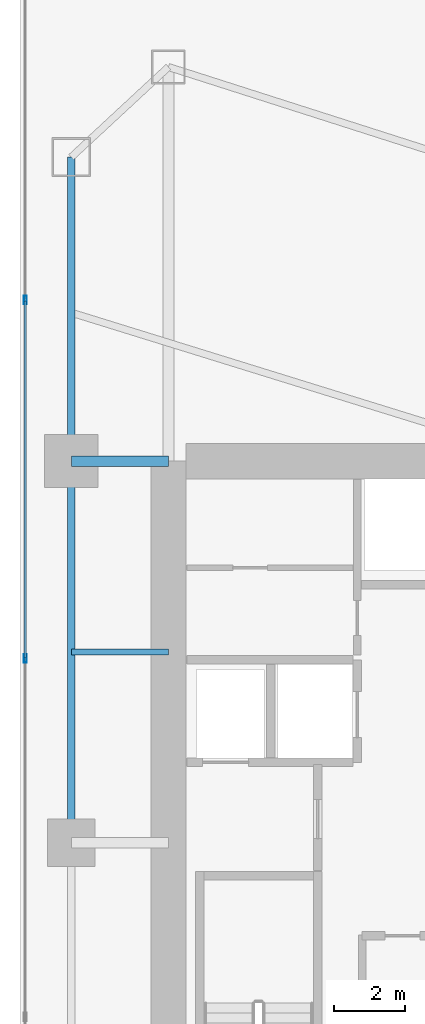
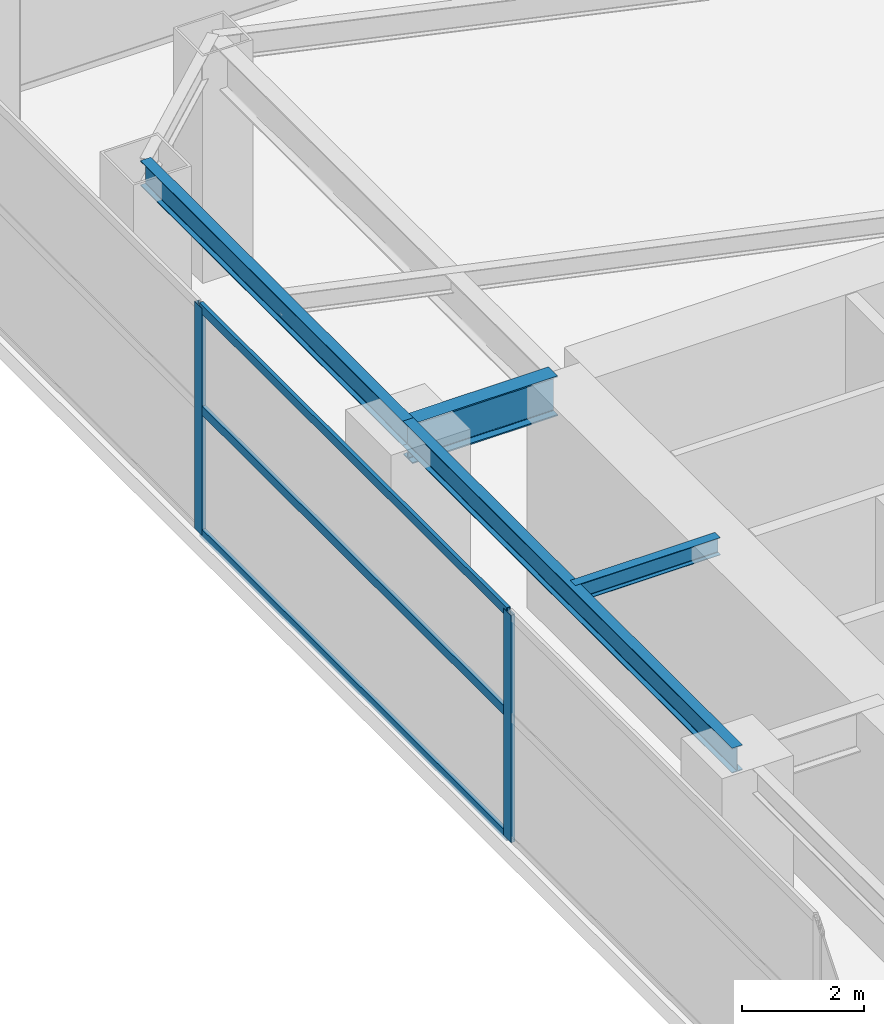
# One storey, part 14 of 30: 5 members, 4 beams, 1 element without a shape of its own.
"""IFC4 building model written with IfcOpenShell, lengths in metres."""

from ifc_helpers import new_model, si_unit, direction, frame, origin, origin_2d, place, context, subcontext, project, spatial, hollow_rectangle, i_section, extrude, material, layer, layer_set, material_profile, profile_set, type_object, element, aggregate, save


model = new_model("IFC4")

# Units and contexts
model_context = context("Model", 3, precision=1e-05, world=origin(), true_north=direction((0.0, 1.0)))
body_context = subcontext(model_context, "Body", "Model", "MODEL_VIEW")
ifc_project = project(units=[si_unit("LENGTHUNIT", "METRE"), si_unit("AREAUNIT", "SQUARE_METRE"), si_unit("VOLUMEUNIT", "CUBIC_METRE"), si_unit("PLANEANGLEUNIT", "RADIAN"), si_unit("MASSUNIT", "GRAM", prefix="KILO")], contexts=[model_context])

# Site, building, storey
site_placement = place(None, origin())
site = spatial("IfcSite", under=ifc_project, at=site_placement, CompositionType="ELEMENT")
building_placement = place(site_placement, origin())
building = spatial("IfcBuilding", under=site, at=building_placement, Name="Calvorn Quay Hotel", CompositionType="ELEMENT")
storey_placement = place(building_placement, frame((0.0, 0.0, 17.0)))
storey = spatial("IfcBuildingStorey", under=building, at=storey_placement, Name="L03", CompositionType="ELEMENT", Elevation=17.0)

# Beams
ifc_material_1 = material(Name="Steel Q390GJC", Category="steel")
ifc_material_profile_1 = material_profile(ifc_material_1, i_section(OverallWidth=0.300048828125, OverallDepth=0.800048828125, WebThickness=0.013916015625, FlangeThickness=0.02587890625, FilletRadius=0.02392578125, at=origin_2d()), Name="HN800x300x14x26")
ifc_profile_set_1 = profile_set([ifc_material_profile_1], Name="Steel Q390GJC")
beam_type_1 = type_object("IfcBeamType", Name="BM-GIRD-POD", PredefinedType="BEAM", material=ifc_profile_set_1)
beam_1_placement = place(storey_placement, frame((1.449951171875, 38.39990234375, 4.14990234375), z_axis=(1.0, 0.0, 0.0), x_axis=(0.0, 1.0, 0.0)))
element("IfcBeam", 1, at=beam_1_placement, inside=storey, type_object=beam_type_1, Name="Beam BG-L03-W3", PredefinedType="BEAM", context=body_context, shape_type="SweptSolid", body=[
    extrude(i_section(OverallWidth=0.300048828125, OverallDepth=0.800048828125, WebThickness=0.013916015625, FlangeThickness=0.02587890625, FilletRadius=0.02392578125, at=origin_2d()), origin(), (0.0, 0.0, 1.0), 2.75),
])
ifc_material_2 = material(Name="Steel Q355B", Category="steel")
ifc_material_profile_2 = material_profile(ifc_material_2, i_section(OverallWidth=0.175048828125, OverallDepth=0.35009765625, WebThickness=0.007080078125, FlangeThickness=0.010986328125, FilletRadius=0.013916015625, at=origin_2d()), Name="HN350x175x7x11")
ifc_profile_set_2 = profile_set([ifc_material_profile_2], Name="Steel Q355B")
beam_type_2 = type_object("IfcBeamType", Name="BM-JOIST-SEC", PredefinedType="JOIST", material=ifc_profile_set_2)
beam_2_placement = place(storey_placement, frame((1.449951171875, 33.0, 4.375), z_axis=(1.0, 0.0, 0.0), x_axis=(0.0, 1.0, 0.0)))
element("IfcBeam", 2, at=beam_2_placement, inside=storey, type_object=beam_type_2, Name="Beam BJ-L03-W4", PredefinedType="JOIST", context=body_context, shape_type="SweptSolid", body=[
    extrude(i_section(OverallWidth=0.175048828125, OverallDepth=0.35009765625, WebThickness=0.007080078125, FlangeThickness=0.010986328125, FilletRadius=0.013916015625, at=origin_2d()), origin(), (0.0, 0.0, 1.0), 2.75),
])
ifc_material_3 = material(Name="Steel Q355B", Category="steel")
ifc_material_profile_3 = material_profile(ifc_material_3, i_section(OverallWidth=0.199951171875, OverallDepth=0.5, WebThickness=0.010009765625, FlangeThickness=0.01611328125, FilletRadius=0.01611328125, at=origin_2d()), Name="HN500x200x10x16")
ifc_profile_set_3 = profile_set([ifc_material_profile_3], Name="Steel Q355B")
beam_type_3 = type_object("IfcBeamType", Name="BM-SPANDREL-Z1", PredefinedType="SPANDREL", material=ifc_profile_set_3)
beam_3_placement = place(storey_placement, frame((1.449951171875, 27.60009765625, 4.300048828125), z_axis=(0.0, 1.0, 0.0), x_axis=(-1.0, 0.0, 0.0)))
element("IfcBeam", 3, at=beam_3_placement, inside=storey, type_object=beam_type_3, Name="Beam BSP-L03-W3", PredefinedType="SPANDREL", context=body_context, shape_type="SweptSolid", body=[
    extrude(i_section(OverallWidth=0.199951171875, OverallDepth=0.5, WebThickness=0.010009765625, FlangeThickness=0.01611328125, FilletRadius=0.01611328125, at=origin_2d()), origin(), (0.0, 0.0, 1.0), 10.7998046875),
])
beam_4_placement = place(storey_placement, frame((1.449951171875, 38.39990234375, 4.300048828125), z_axis=(0.0, 1.0, 0.0), x_axis=(-1.0, 0.0, 0.0)))
element("IfcBeam", 4, at=beam_4_placement, inside=storey, type_object=beam_type_3, Name="Beam BSP-L03-W4", PredefinedType="SPANDREL", context=body_context, shape_type="SweptSolid", body=[
    extrude(i_section(OverallWidth=0.199951171875, OverallDepth=0.5, WebThickness=0.010009765625, FlangeThickness=0.01611328125, FilletRadius=0.01611328125, at=origin_2d()), origin(), (0.0, 0.0, 1.0), 8.60009765625),
])

# Curtain wall, members
ifc_material_4 = material(Name="Pale Anodised Aluminium and Low-E Glass", Category="aluminium")
ifc_layer = layer(ifc_material_4, 0.219970703125)
ifc_layer_set = layer_set([ifc_layer], Name="CW-SYS-POD")
curtain_wall_type = type_object("IfcCurtainWallType", Name="CW-SYS-POD", PredefinedType="NOTDEFINED", material=ifc_layer_set)
curtain_wall_placement = place(storey_placement, origin())
curtain_wall = element("IfcCurtainWall", 5, at=curtain_wall_placement, inside=storey, type_object=curtain_wall_type, Name="Podium Curtain Wall L03-W1", PredefinedType="NOTDEFINED")
ifc_material_5 = material(Name="Pale Anodised Aluminium 6063-T6", Category="aluminium")
ifc_material_profile_4 = material_profile(ifc_material_5, hollow_rectangle(XDim=0.080078125, YDim=0.239990234375, WallThickness=0.0048828125, at=origin_2d()), Name="ALU-M240x80x5")
ifc_profile_set_4 = profile_set([ifc_material_profile_4], Name="Pale Anodised Aluminium 6063-T6")
member_type_1 = type_object("IfcMemberType", Name="CW-SYS-POD-MUL", PredefinedType="MULLION", material=ifc_profile_set_4)
member_1_placement = place(storey_placement, frame((0.14990234375, 32.820068359375, 0.0), z_axis=(0.0, 0.0, 1.0), x_axis=(-1.0, 0.0, 0.0)))
member_1 = element("IfcMember", 6, at=member_1_placement, type_object=member_type_1, Name="CW-L03-W1 mullion 4", PredefinedType="MULLION", context=body_context, shape_type="SweptSolid", body=[
    extrude(hollow_rectangle(XDim=0.080078125, YDim=0.239990234375, WallThickness=0.0048828125, at=origin_2d()), origin(), (0.0, 0.0, 1.0), 4.550048828125),
])
member_2_placement = place(storey_placement, frame((0.14990234375, 42.9599609375, 0.0), z_axis=(0.0, 0.0, 1.0), x_axis=(-1.0, 0.0, 0.0)))
member_2 = element("IfcMember", 7, at=member_2_placement, type_object=member_type_1, Name="CW-L03-W1 mullion 5", PredefinedType="MULLION", context=body_context, shape_type="SweptSolid", body=[
    extrude(hollow_rectangle(XDim=0.080078125, YDim=0.239990234375, WallThickness=0.0048828125, at=origin_2d()), origin(), (0.0, 0.0, 1.0), 4.550048828125),
])
ifc_material_6 = material(Name="Pale Anodised Aluminium 6063-T6", Category="aluminium")
ifc_material_profile_5 = material_profile(ifc_material_6, hollow_rectangle(XDim=0.070068359375, YDim=0.179931640625, WallThickness=0.00390625, at=origin_2d()), Name="ALU-T180x70x4")
ifc_profile_set_5 = profile_set([ifc_material_profile_5], Name="Pale Anodised Aluminium 6063-T6")
member_type_2 = type_object("IfcMemberType", Name="CW-SYS-POD-TRN", PredefinedType="USERDEFINED", material=ifc_profile_set_5)
member_3_placement = place(storey_placement, frame((0.14990234375, 32.85009765625, 0.030029296875), z_axis=(0.0, 1.0, 0.0), x_axis=(-1.0, 0.0, 0.0)))
member_3 = element("IfcMember", 8, at=member_3_placement, type_object=member_type_2, Name="CW-L03-W1 transom 4.1", ObjectType="TRANSOM", PredefinedType="USERDEFINED", context=body_context, shape_type="SweptSolid", body=[
    extrude(hollow_rectangle(XDim=0.070068359375, YDim=0.179931640625, WallThickness=0.00390625, at=origin_2d()), origin(), (0.0, 0.0, 1.0), 10.079833984375),
])
member_4_placement = place(storey_placement, frame((0.14990234375, 32.85009765625, 2.5), z_axis=(0.0, 1.0, 0.0), x_axis=(-1.0, 0.0, 0.0)))
member_4 = element("IfcMember", 9, at=member_4_placement, type_object=member_type_2, Name="CW-L03-W1 transom 4.2", ObjectType="TRANSOM", PredefinedType="USERDEFINED", context=body_context, shape_type="SweptSolid", body=[
    extrude(hollow_rectangle(XDim=0.070068359375, YDim=0.179931640625, WallThickness=0.00390625, at=origin_2d()), origin(), (0.0, 0.0, 1.0), 10.079833984375),
])
member_5_placement = place(storey_placement, frame((0.14990234375, 32.85009765625, 4.52001953125), z_axis=(0.0, 1.0, 0.0), x_axis=(-1.0, 0.0, 0.0)))
member_5 = element("IfcMember", 10, at=member_5_placement, type_object=member_type_2, Name="CW-L03-W1 transom 4.3", ObjectType="TRANSOM", PredefinedType="USERDEFINED", context=body_context, shape_type="SweptSolid", body=[
    extrude(hollow_rectangle(XDim=0.070068359375, YDim=0.179931640625, WallThickness=0.00390625, at=origin_2d()), origin(), (0.0, 0.0, 1.0), 10.079833984375),
])
aggregate(curtain_wall, [member_1, member_2, member_3, member_4, member_5])

save(model, "model.ifc")
